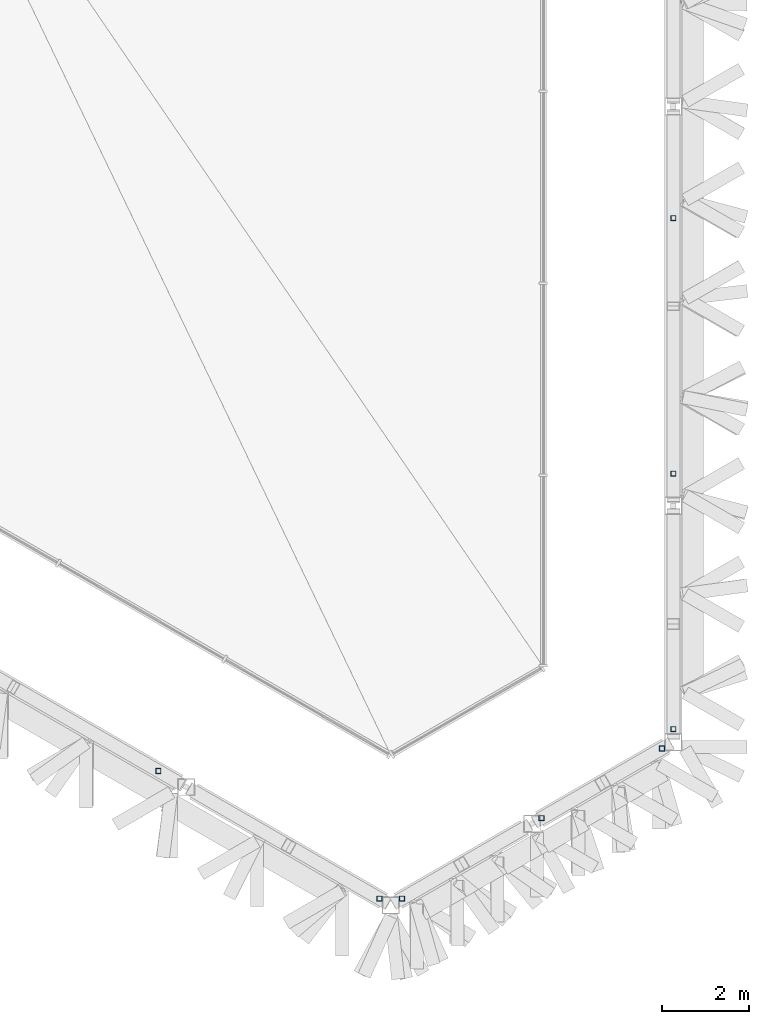
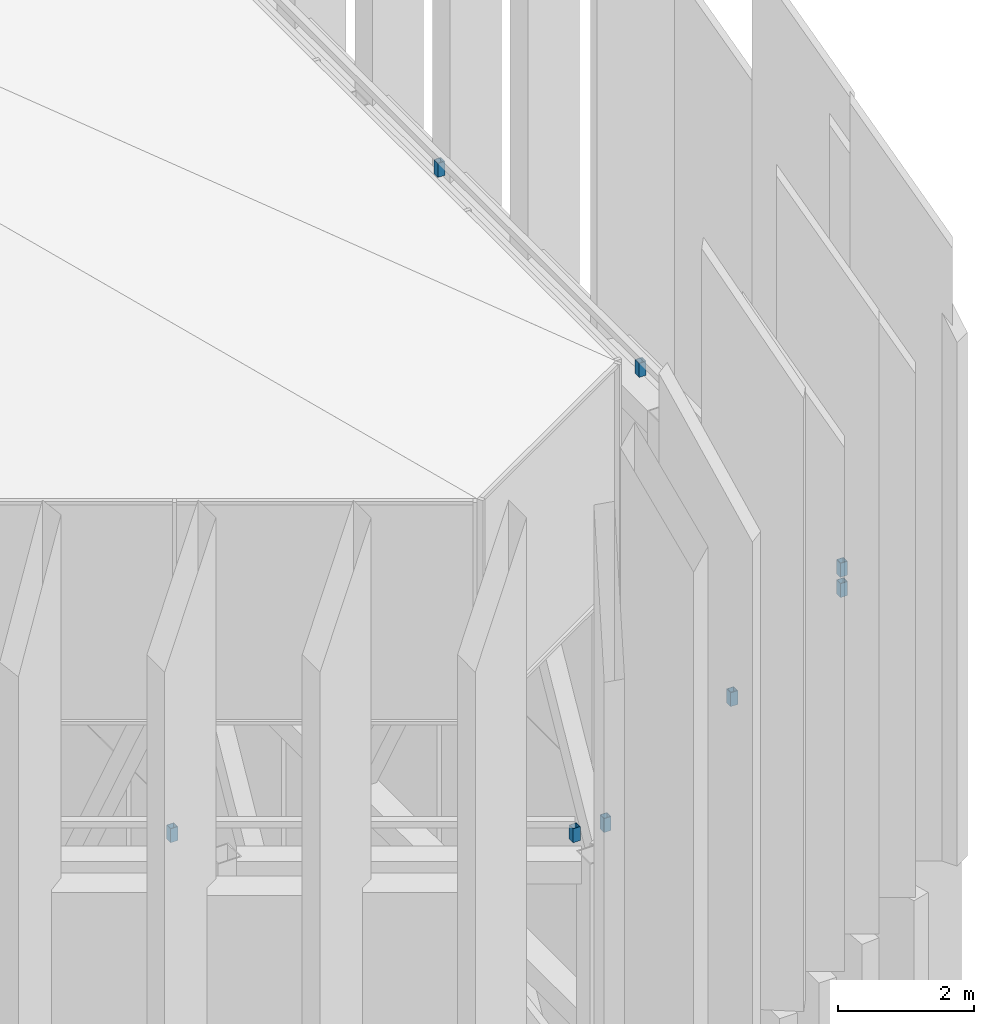
# One storey, part 20 of 45: 8 members.
"""IFC4 building model written with IfcOpenShell, lengths in metres."""

from ifc_helpers import new_model, si_unit, direction, frame, origin, origin_2d, place, context, subcontext, project, spatial, hollow_rectangle, extrude, material, material_profile, profile_set, type_object, element, save


model = new_model("IFC4")

# Units and contexts
model_context = context("Model", 3, precision=1e-05, world=origin(), true_north=direction((0.0, 1.0)))
body_context = subcontext(model_context, "Body", "Model", "MODEL_VIEW")
ifc_project = project(units=[si_unit("LENGTHUNIT", "METRE"), si_unit("AREAUNIT", "SQUARE_METRE"), si_unit("VOLUMEUNIT", "CUBIC_METRE"), si_unit("PLANEANGLEUNIT", "RADIAN"), si_unit("MASSUNIT", "GRAM", prefix="KILO")], contexts=[model_context])

# Site, building, storey
site_placement = place(None, origin())
site = spatial("IfcSite", under=ifc_project, at=site_placement, CompositionType="ELEMENT")
building_placement = place(site_placement, origin())
building = spatial("IfcBuilding", under=site, at=building_placement, Name="Jabali Bay Hotel Tower and Convention Centre", CompositionType="ELEMENT")
storey_placement = place(building_placement, frame((0.0, 0.0, 322.39990234375)))
storey = spatial("IfcBuildingStorey", under=building, at=storey_placement, Name="Crown", CompositionType="ELEMENT", Elevation=322.39990234375)

# Members
ifc_material = material(Name="Steel Q355B", Category="steel")
ifc_material_profile = material_profile(ifc_material, hollow_rectangle(XDim=0.1201171875, YDim=0.1201171875, WallThickness=0.008056640625, at=origin_2d()), Name="BMU rail post")
ifc_profile_set = profile_set([ifc_material_profile], Name="Steel Q355B")
member_type = type_object("IfcMemberType", Name="BMU rail post", PredefinedType="USERDEFINED", material=ifc_profile_set)
for number, where, z_axis, x_axis, name in (
    (1, (93.148681640625, 56.39794921875, 28.35009765625), (0.0, 0.0, 1.0), (1.0, 0.0, 0.0), "BMU rail post 1.1"),
    (2, (93.148681640625, 62.298583984375, 28.35009765625), (0.0, 0.0, 1.0), (1.0, 0.0, 0.0), "BMU rail post 1.2"),
    (3, (93.148681640625, 68.198974609375, 28.35009765625), (0.0, 0.0, 1.0), (1.0, 0.0, 0.0), "BMU rail post 1.3"),
    (4, (81.255615234375, 55.431884765625, 28.35009765625), (0.0, 0.0, 1.0), (1.0, 0.0, 0.0), "BMU rail post 5.8"),
    (5, (86.365478515625, 52.481689453125, 28.35009765625), (0.0, 0.0, 1.0), (1.0, 0.0, 0.0), "BMU rail post 5.9"),
    (6, (86.88525390625, 52.481689453125, 28.35009765625), (0.0, 0.0, 1.0), (1.0, 0.0, 0.0), "BMU rail post 6.1"),
    (7, (90.103515625, 54.33984375, 28.35009765625), (0.0, 0.0, 1.0), (1.0, 0.0, 0.0), "BMU rail post 6.2"),
    (8, (92.888916015625, 55.947998046875, 28.35009765625), (0.0, 0.0, 1.0), (1.0, 0.0, 0.0), "BMU rail post 6.3"),
):
    element("IfcMember", number, at=place(storey_placement, frame(where, z_axis=z_axis, x_axis=x_axis)), inside=storey, type_object=member_type, Name=name, ObjectType="BMU RAIL", PredefinedType="USERDEFINED", context=body_context, shape_type="SweptSolid", body=[
        extrude(hollow_rectangle(XDim=0.1201171875, YDim=0.1201171875, WallThickness=0.008056640625, at=origin_2d()), origin(), (0.0, 0.0, 1.0), 0.25),
    ])

save(model, "model.ifc")
